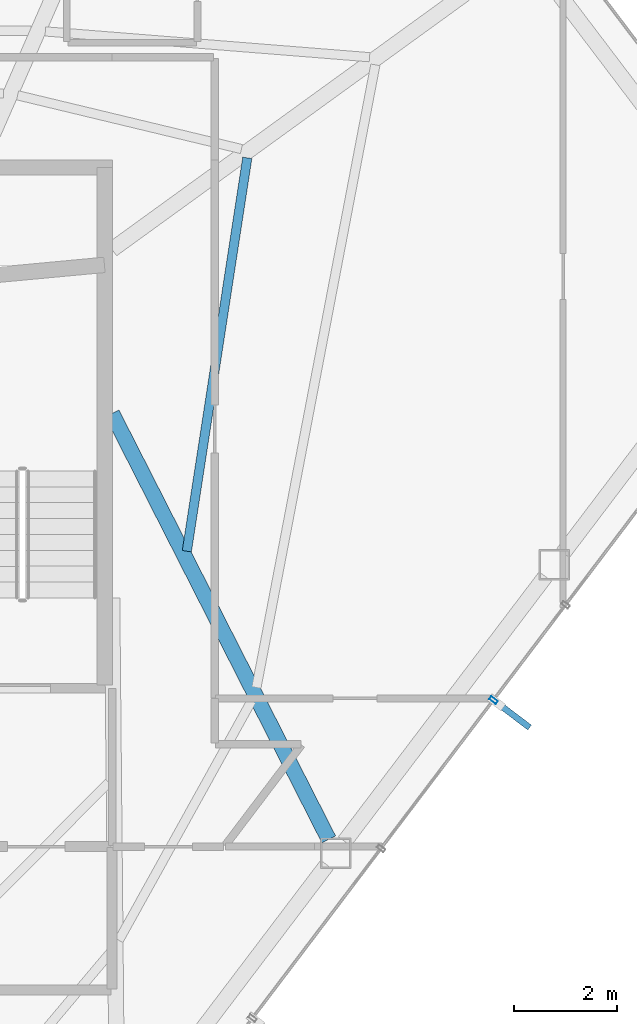
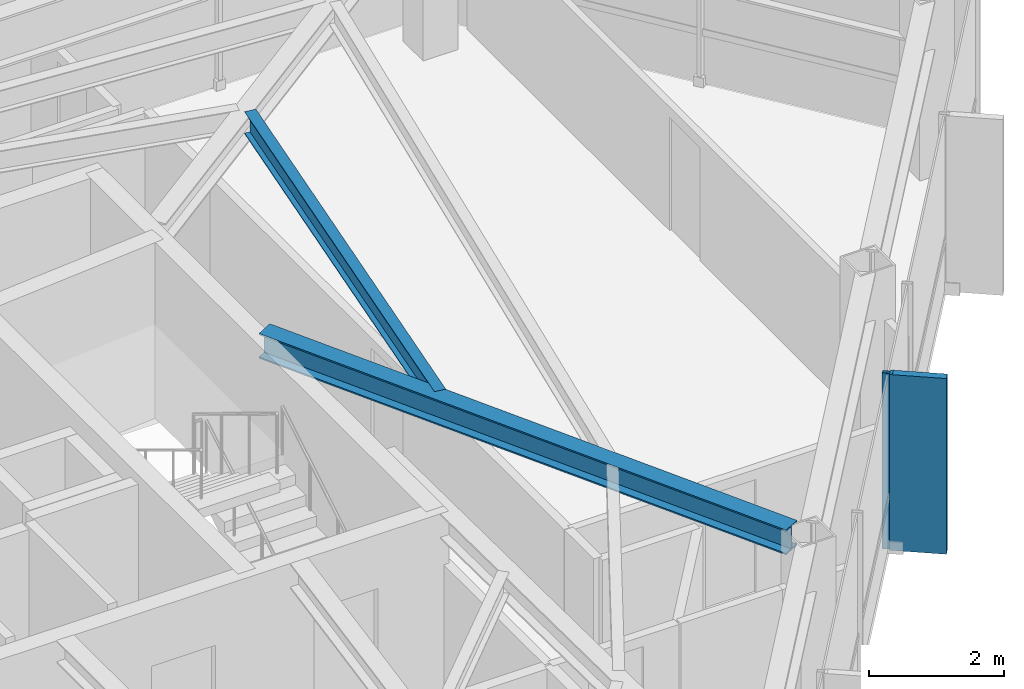
# One storey, part 19 of 28: 2 beams, 2 members, 1 element without a shape of its own.
"""IFC4 building model written with IfcOpenShell, lengths in metres."""

from ifc_helpers import new_model, si_unit, direction, frame, origin, origin_2d, place, context, subcontext, project, spatial, rectangle, hollow_rectangle, i_section, extrude, material, layer, layer_set, material_profile, profile_set, type_object, element, aggregate, save


model = new_model("IFC4")

# Units and contexts
model_context = context("Model", 3, precision=1e-05, world=origin(), true_north=direction((0.0, 1.0)))
body_context = subcontext(model_context, "Body", "Model", "MODEL_VIEW")
ifc_project = project(units=[si_unit("LENGTHUNIT", "METRE"), si_unit("AREAUNIT", "SQUARE_METRE"), si_unit("VOLUMEUNIT", "CUBIC_METRE"), si_unit("PLANEANGLEUNIT", "RADIAN"), si_unit("MASSUNIT", "GRAM", prefix="KILO")], contexts=[model_context])

# Site, building, storey
site_placement = place(None, origin())
site = spatial("IfcSite", under=ifc_project, at=site_placement, CompositionType="ELEMENT")
building_placement = place(site_placement, origin())
building = spatial("IfcBuilding", under=site, at=building_placement, Name="Zarrinselat Tower", CompositionType="ELEMENT")
storey_placement = place(building_placement, frame((0.0, 0.0, 222.360107421875)))
storey = spatial("IfcBuildingStorey", under=building, at=storey_placement, Name="L55", CompositionType="ELEMENT", Elevation=222.360107421875)

# Beams
ifc_material_1 = material(Name="Steel S355J2", Category="steel")
ifc_material_profile_1 = material_profile(ifc_material_1, i_section(OverallWidth=0.300048828125, OverallDepth=0.449951171875, WebThickness=0.013916015625, FlangeThickness=0.02587890625, at=origin_2d()), Name="HEB 450")
ifc_profile_set_1 = profile_set([ifc_material_profile_1], Name="Steel S355J2")
beam_type_1 = type_object("IfcBeamType", Name="BM-HEB450", PredefinedType="BEAM", material=ifc_profile_set_1)
beam_1_placement = place(storey_placement, frame((48.35009765625, 38.60009765625, 2.954833984375), z_axis=(0.453404321332, -0.891304954209, 0.0), x_axis=(0.891304954209, 0.453404321332, 0.0)))
element("IfcBeam", 1, at=beam_1_placement, inside=storey, type_object=beam_type_1, Name="L55 Radial Primary Girder RG13", PredefinedType="BEAM", context=body_context, shape_type="SweptSolid", body=[
    extrude(i_section(OverallWidth=0.300048828125, OverallDepth=0.449951171875, WebThickness=0.013916015625, FlangeThickness=0.02587890625, at=origin_2d()), origin(), (0.0, 0.0, 1.0), 9.322265625),
])
ifc_material_2 = material(Name="Steel S355J2", Category="steel")
ifc_material_profile_2 = material_profile(ifc_material_2, i_section(OverallWidth=0.179931640625, OverallDepth=0.39990234375, WebThickness=0.008544921875, FlangeThickness=0.013427734375, at=origin_2d()), Name="IPE 400")
ifc_profile_set_2 = profile_set([ifc_material_profile_2], Name="Steel S355J2")
beam_type_2 = type_object("IfcBeamType", Name="BM-IPE400", PredefinedType="JOIST", material=ifc_profile_set_2)
beam_2_placement = place(storey_placement, frame((49.808349609375, 35.913330078125, 2.97998046875), z_axis=(0.151920153408, 0.988392769595, 0.0), x_axis=(-0.988392769595, 0.151920153408, 0.0)))
element("IfcBeam", 2, at=beam_2_placement, inside=storey, type_object=beam_type_2, Name="L55 Composite Floor Joist 5-2", PredefinedType="JOIST", context=body_context, shape_type="SweptSolid", body=[
    extrude(i_section(OverallWidth=0.179931640625, OverallDepth=0.39990234375, WebThickness=0.008544921875, FlangeThickness=0.013427734375, at=origin_2d()), origin(), (0.0, 0.0, 1.0), 7.76513671875),
])

# Curtain wall, members
ifc_material_3 = material(Name="Extruded Aluminium Alloy EN AW-6063 T6", Category="aluminium")
ifc_layer = layer(ifc_material_3, 0.169921875)
ifc_layer_set = layer_set([ifc_layer], Name="Extruded Aluminium Alloy EN AW-6063 T6")
curtain_wall_type = type_object("IfcCurtainWallType", Name="CWS-RES", PredefinedType="NOTDEFINED", material=ifc_layer_set)
curtain_wall_placement = place(storey_placement, origin())
curtain_wall = element("IfcCurtainWall", 3, at=curtain_wall_placement, inside=storey, type_object=curtain_wall_type, Name="L55 Unitised Curtain Wall CW-L55-E05", PredefinedType="NOTDEFINED")
ifc_material_4 = material(Name="Extruded Aluminium Alloy EN AW-6063 T6", Category="aluminium")
ifc_material_profile_3 = material_profile(ifc_material_4, hollow_rectangle(XDim=0.070068359375, YDim=0.159912109375, WallThickness=0.00390625, at=origin_2d()), Name="RHS 160x70x4")
ifc_profile_set_3 = profile_set([ifc_material_profile_3], Name="Extruded Aluminium Alloy EN AW-6063 T6")
member_type_1 = type_object("IfcMemberType", Name="MEM-CW-MUL2", PredefinedType="MULLION", material=ifc_profile_set_3)
member_1_placement = place(storey_placement, frame((55.791015625, 33.00732421875, 0.0), z_axis=(0.0, 0.0, 1.0), x_axis=(0.603859212041, 0.797090993572, 0.0)))
member_1 = element("IfcMember", 4, at=member_1_placement, type_object=member_type_1, Name="CW-L55-E05 Mullion 5", PredefinedType="MULLION", context=body_context, shape_type="SweptSolid", body=[
    extrude(hollow_rectangle(XDim=0.070068359375, YDim=0.159912109375, WallThickness=0.00390625, at=origin_2d()), origin(), (0.0, 0.0, 1.0), 3.179931640625),
])
ifc_material_5 = material(Name="Honed Cream Travertine Stone", Category="masonry")
ifc_material_profile_4 = material_profile(ifc_material_5, rectangle(XDim=0.1201171875, YDim=0.85009765625, at=origin_2d()), Name="FIN 850x120")
ifc_profile_set_4 = profile_set([ifc_material_profile_4], Name="Honed Cream Travertine Stone")
member_type_2 = type_object("IfcMemberType", Name="MEM-STONE-FIN", PredefinedType="USERDEFINED", material=ifc_profile_set_4)
member_2_placement = place(storey_placement, frame((56.15771484375, 32.7294921875, 0.0), z_axis=(0.0, 0.0, 1.0), x_axis=(-0.603859212041, -0.797090993572, 0.0)))
member_2 = element("IfcMember", 5, at=member_2_placement, type_object=member_type_2, Name="L55 Stone Shading Fin CW-L55-E05-05", ObjectType="FIN", PredefinedType="USERDEFINED", context=body_context, shape_type="SweptSolid", body=[
    extrude(rectangle(XDim=0.1201171875, YDim=0.85009765625, at=origin_2d()), origin(), (0.0, 0.0, 1.0), 3.179931640625),
])
aggregate(curtain_wall, [member_1, member_2])

save(model, "model.ifc")
